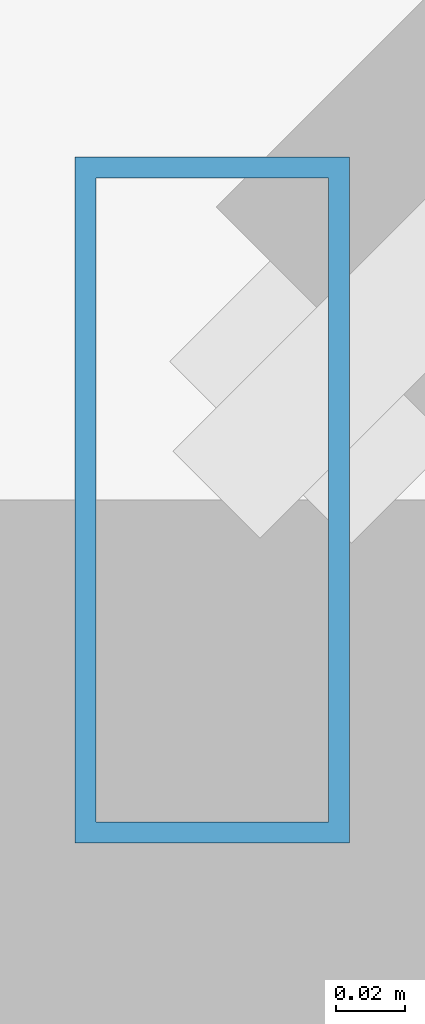
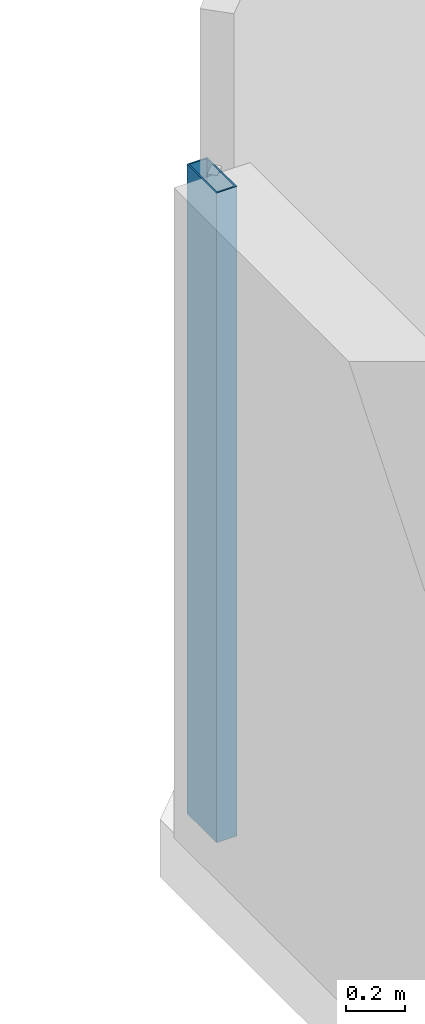
# One storey, part 11 of 33: 1 member, 1 element without a shape of its own.
"""IFC4 building model written with IfcOpenShell, lengths in metres."""

from ifc_helpers import new_model, si_unit, direction, frame, origin, origin_2d, place, context, subcontext, project, spatial, hollow_rectangle, extrude, material, material_profile, profile_set, type_object, element, aggregate, save


model = new_model("IFC4")

# Units and contexts
model_context = context("Model", 3, precision=1e-05, world=origin(), true_north=direction((0.0, 1.0)))
body_context = subcontext(model_context, "Body", "Model", "MODEL_VIEW")
ifc_project = project(units=[si_unit("LENGTHUNIT", "METRE"), si_unit("AREAUNIT", "SQUARE_METRE"), si_unit("VOLUMEUNIT", "CUBIC_METRE"), si_unit("PLANEANGLEUNIT", "RADIAN"), si_unit("MASSUNIT", "GRAM", prefix="KILO")], contexts=[model_context])

# Site, building, storey
site_placement = place(None, origin())
site = spatial("IfcSite", under=ifc_project, at=site_placement, CompositionType="ELEMENT")
building_placement = place(site_placement, origin())
building = spatial("IfcBuilding", under=site, at=building_placement, Name="Thornwick Lancets Civic Towers", CompositionType="ELEMENT")
storey_placement = place(building_placement, frame((0.0, 0.0, 167.10009765625)))
storey = spatial("IfcBuildingStorey", under=building, at=storey_placement, Name="L44", CompositionType="ELEMENT", Elevation=167.10009765625)

# Curtain wall, member
ifc_material_1 = material(Name="Mid-zone chamfered-corner unitised glass curtain wall", Category="glass")
curtain_wall_type = type_object("IfcCurtainWallType", Name="CW_SYS_04", PredefinedType="NOTDEFINED", material=ifc_material_1)
curtain_wall_placement = place(storey_placement, origin())
curtain_wall = element("IfcCurtainWall", 1, at=curtain_wall_placement, inside=storey, type_object=curtain_wall_type, Name="L44 Curtain Wall CW-L44-B-E5", PredefinedType="NOTDEFINED")
ifc_material_2 = material(Name="Thermally broken bronze aluminium S355", Category="steel")
ifc_material_profile = material_profile(ifc_material_2, hollow_rectangle(XDim=0.080078125, YDim=0.199951171875, WallThickness=0.006103515625, at=origin_2d()), Name="RHS 200x80x6")
ifc_profile_set = profile_set([ifc_material_profile], Name="Thermally broken bronze aluminium S355")
member_type = type_object("IfcMemberType", Name="CW_MUL_200", PredefinedType="MULLION", material=ifc_profile_set)
member_placement = place(storey_placement, frame((70.736328125, 47.905517578125, 0.0), z_axis=(0.0, 0.0, 1.0), x_axis=(1.0, 0.0, 0.0)))
member = element("IfcMember", 2, at=member_placement, type_object=member_type, Name="CW-L44-B-E5 Mullion 1", PredefinedType="MULLION", context=body_context, shape_type="SweptSolid", body=[
    extrude(hollow_rectangle(XDim=0.080078125, YDim=0.199951171875, WallThickness=0.006103515625, at=origin_2d()), origin(), (0.0, 0.0, 1.0), 2.699951171875),
])
aggregate(curtain_wall, [member])

save(model, "model.ifc")
